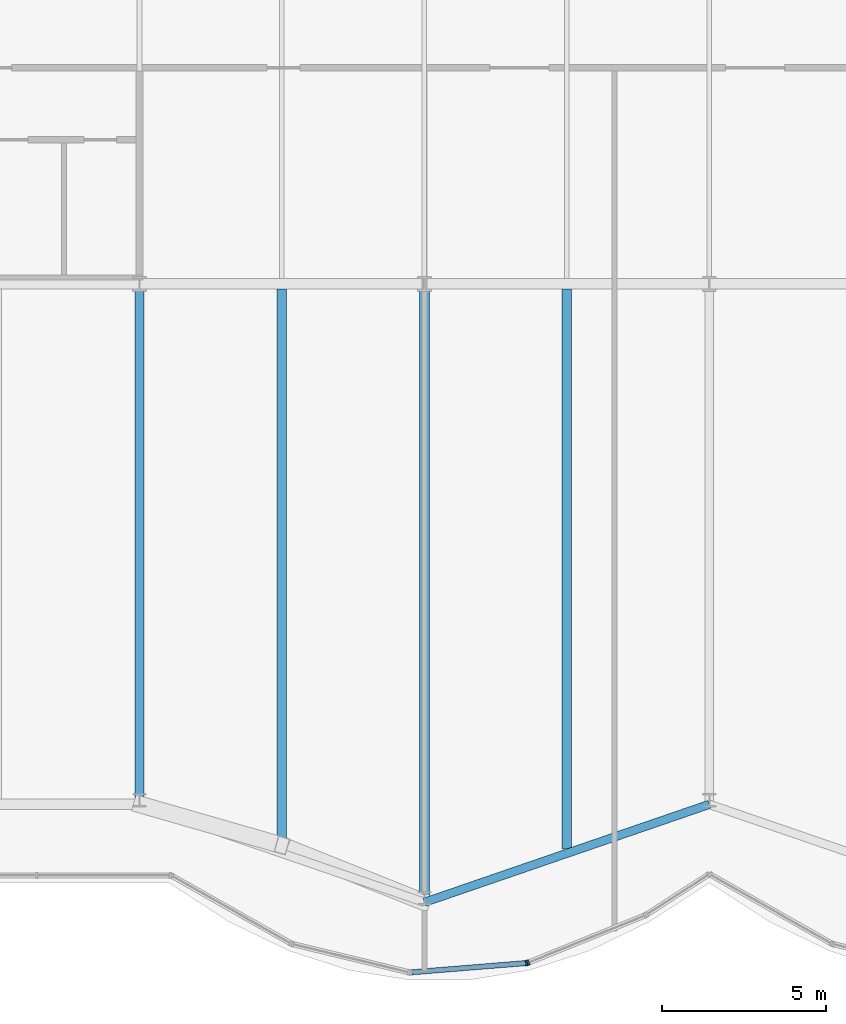
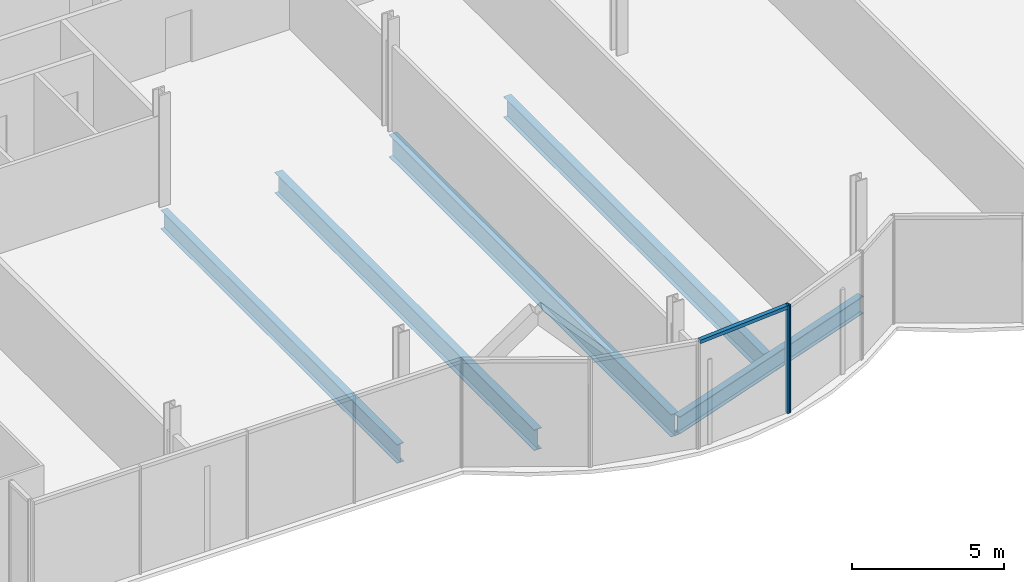
# One storey, part 5 of 21: 5 beams, 3 members, 1 element without a shape of its own.
"""IFC4 building model written with IfcOpenShell, lengths in metres."""

from ifc_helpers import new_model, si_unit, direction, frame, origin, origin_2d, place, context, subcontext, project, spatial, rectangle, i_section, extrude, material, material_profile, profile_set, type_object, element, aggregate, save


model = new_model("IFC4")

# Units and contexts
model_context = context("Model", 3, precision=1e-05, world=origin(), true_north=direction((0.0, 1.0)))
body_context = subcontext(model_context, "Body", "Model", "MODEL_VIEW")
ifc_project = project(units=[si_unit("LENGTHUNIT", "METRE"), si_unit("AREAUNIT", "SQUARE_METRE"), si_unit("VOLUMEUNIT", "CUBIC_METRE"), si_unit("PLANEANGLEUNIT", "RADIAN"), si_unit("MASSUNIT", "GRAM", prefix="KILO")], contexts=[model_context])

# Site, building, storey
site_placement = place(None, origin())
site = spatial("IfcSite", under=ifc_project, at=site_placement, CompositionType="ELEMENT")
building_placement = place(site_placement, origin())
building = spatial("IfcBuilding", under=site, at=building_placement, Name="Bicima Exchange Tower", CompositionType="ELEMENT")
storey_placement = place(building_placement, frame((0.0, 0.0, 66.5)))
storey = spatial("IfcBuildingStorey", under=building, at=storey_placement, Name="L13", CompositionType="ELEMENT", Elevation=66.5)

# Beams
ifc_material_1 = material(Name="Steel ASTM A992 Gr 50", Category="steel")
ifc_material_profile_1 = material_profile(ifc_material_1, i_section(OverallWidth=0.2666015625, OverallDepth=0.75439453125, WebThickness=0.01318359375, FlangeThickness=0.01708984375, at=origin_2d()))
ifc_profile_set_1 = profile_set([ifc_material_profile_1], Name="Steel ASTM A992 Gr 50")
beam_type_1 = type_object("IfcBeamType", Name="Floor beam W30x99", PredefinedType="JOIST", material=ifc_profile_set_1)
beam_1_placement = place(storey_placement, frame((-17.39990234375, -22.16259765625, -0.527099609375), z_axis=(0.0, -1.0, 0.0), x_axis=(1.0, 0.0, 0.0)))
element("IfcBeam", 1, at=beam_1_placement, inside=storey, type_object=beam_type_1, Name="Floor beam", PredefinedType="JOIST", context=body_context, shape_type="SweptSolid", body=[
    extrude(i_section(OverallWidth=0.2666015625, OverallDepth=0.75439453125, WebThickness=0.01318359375, FlangeThickness=0.01708984375, at=origin_2d()), origin(), (0.0, 0.0, 1.0), 15.56689453125),
])
ifc_material_profile_2 = material_profile(ifc_material_1, i_section(OverallWidth=0.2919921875, OverallDepth=0.835693359375, WebThickness=0.013916015625, FlangeThickness=0.018798828125, at=origin_2d()))
ifc_profile_set_2 = profile_set([ifc_material_profile_2], Name="Steel ASTM A992 Gr 50")
beam_type_2 = type_object("IfcBeamType", Name="Floor beam W33x118", PredefinedType="JOIST", material=ifc_profile_set_2)
for number, where, z_axis, x_axis, name in (
    (2, (-13.050048828125, -22.16259765625, -0.56787109375), (0.0, -1.0, 0.0), (1.0, 0.0, 0.0), "Floor beam"),
    (3, (-4.35009765625, -22.16259765625, -0.56787109375), (0.0, -1.0, 0.0), (1.0, 0.0, 0.0), "Floor beam"),
):
    element("IfcBeam", number, at=place(storey_placement, frame(where, z_axis=z_axis, x_axis=x_axis)), inside=storey, type_object=beam_type_2, Name=name, PredefinedType="JOIST", context=body_context, shape_type="SweptSolid", body=[
        extrude(i_section(OverallWidth=0.2919921875, OverallDepth=0.835693359375, WebThickness=0.013916015625, FlangeThickness=0.018798828125, at=origin_2d()), origin(), (0.0, 0.0, 1.0), 17.08935546875),
    ])
ifc_material_profile_3 = material_profile(ifc_material_1, i_section(OverallWidth=0.3046875, OverallDepth=0.904296875, WebThickness=0.01513671875, FlangeThickness=0.02001953125, at=origin_2d()))
ifc_profile_set_3 = profile_set([ifc_material_profile_3], Name="Steel ASTM A992 Gr 50")
beam_type_3 = type_object("IfcBeamType", Name="Floor beam W36x135", PredefinedType="JOIST", material=ifc_profile_set_3)
beam_2_placement = place(storey_placement, frame((-8.699951171875, -22.16259765625, -0.60205078125), z_axis=(0.0, -1.0, 0.0), x_axis=(1.0, 0.0, 0.0)))
element("IfcBeam", 4, at=beam_2_placement, inside=storey, type_object=beam_type_3, Name="Floor beam", PredefinedType="JOIST", context=body_context, shape_type="SweptSolid", body=[
    extrude(i_section(OverallWidth=0.3046875, OverallDepth=0.904296875, WebThickness=0.01513671875, FlangeThickness=0.02001953125, at=origin_2d()), origin(), (0.0, 0.0, 1.0), 18.584716796875),
])
ifc_material_profile_4 = material_profile(ifc_material_1, i_section(OverallWidth=0.256591796875, OverallDepth=0.693359375, WebThickness=0.014404296875, FlangeThickness=0.023681640625, at=origin_2d()))
ifc_profile_set_4 = profile_set([ifc_material_profile_4], Name="Steel ASTM A992 Gr 50")
beam_type_4 = type_object("IfcBeamType", Name="Front girder W27x114", PredefinedType="BEAM", material=ifc_profile_set_4)
beam_3_placement = place(storey_placement, frame((-8.699951171875, -40.883056640625, -0.49658203125), z_axis=(0.945674616091, 0.32511462668, 0.0), x_axis=(-0.32511462668, 0.945674616091, 0.0)))
element("IfcBeam", 5, at=beam_3_placement, inside=storey, type_object=beam_type_4, Name="Front girder", PredefinedType="BEAM", context=body_context, shape_type="SweptSolid", body=[
    extrude(i_section(OverallWidth=0.256591796875, OverallDepth=0.693359375, WebThickness=0.014404296875, FlangeThickness=0.023681640625, at=origin_2d()), origin(), (0.0, 0.0, 1.0), 9.19970703125),
])

# Curtain wall, members
ifc_material_2 = material(Name="Anodised bronze aluminium", Category="aluminium")
curtain_wall_type = type_object("IfcCurtainWallType", Name="Front glass wall", PredefinedType="NOTDEFINED", material=ifc_material_2)
curtain_wall_placement = place(storey_placement, origin())
curtain_wall = element("IfcCurtainWall", 6, at=curtain_wall_placement, inside=storey, type_object=curtain_wall_type, Name="Front glass wall L13 run 6", PredefinedType="NOTDEFINED")
ifc_material_profile_5 = material_profile(ifc_material_2, rectangle(XDim=0.159912109375, YDim=0.06005859375, at=origin_2d()))
ifc_profile_set_5 = profile_set([ifc_material_profile_5], Name="Anodised bronze aluminium")
member_type_1 = type_object("IfcMemberType", Name="Front glass wall mullion 60 x 160", PredefinedType="MULLION", material=ifc_profile_set_5)
member_1_placement = place(storey_placement, frame((-5.583984375, -42.73681640625, 0.0), z_axis=(0.0, 0.0, 1.0), x_axis=(-0.080588612633, 0.99674744821, 0.0)))
member_1 = element("IfcMember", 7, at=member_1_placement, type_object=member_type_1, Name="Front glass wall mullion 2", PredefinedType="MULLION", context=body_context, shape_type="SweptSolid", body=[
    extrude(rectangle(XDim=0.159912109375, YDim=0.06005859375, at=origin_2d()), origin(), (0.0, 0.0, 1.0), 4.35009765625),
])
member_2_placement = place(storey_placement, frame((-5.526123046875, -42.72314453125, 0.0), z_axis=(0.0, 0.0, 1.0), x_axis=(-0.374705304, 0.92714396679, 0.0)))
member_2 = element("IfcMember", 8, at=member_2_placement, type_object=member_type_1, Name="Front glass wall mullion 1", PredefinedType="MULLION", context=body_context, shape_type="SweptSolid", body=[
    extrude(rectangle(XDim=0.159912109375, YDim=0.06005859375, at=origin_2d()), origin(), (0.0, 0.0, 1.0), 4.35009765625),
])
ifc_material_profile_6 = material_profile(ifc_material_2, rectangle(XDim=0.159912109375, YDim=0.139892578125, at=origin_2d()))
ifc_profile_set_6 = profile_set([ifc_material_profile_6], Name="Anodised bronze aluminium")
member_type_2 = type_object("IfcMemberType", Name="Front glass wall transom 140 x 160", PredefinedType="USERDEFINED", material=ifc_profile_set_6)
member_3_placement = place(storey_placement, frame((-9.08837890625, -43.020263671875, 4.280029296875), z_axis=(0.9967456465, 0.080610893699, 0.0), x_axis=(-0.080610893699, 0.9967456465, 0.0)))
member_3 = element("IfcMember", 9, at=member_3_placement, type_object=member_type_2, Name="Front glass wall transom 1.1", ObjectType="TRANSOM", PredefinedType="USERDEFINED", context=body_context, shape_type="SweptSolid", body=[
    extrude(rectangle(XDim=0.159912109375, YDim=0.139892578125, at=origin_2d()), origin(), (0.0, 0.0, 1.0), 3.48583984375),
])
aggregate(curtain_wall, [member_1, member_3, member_2])

save(model, "model.ifc")
